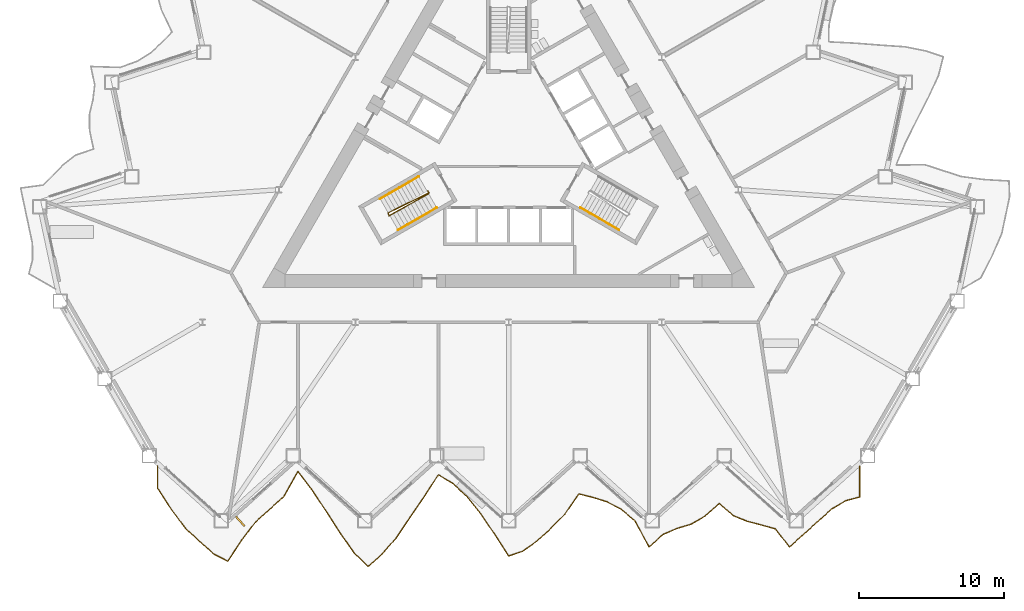
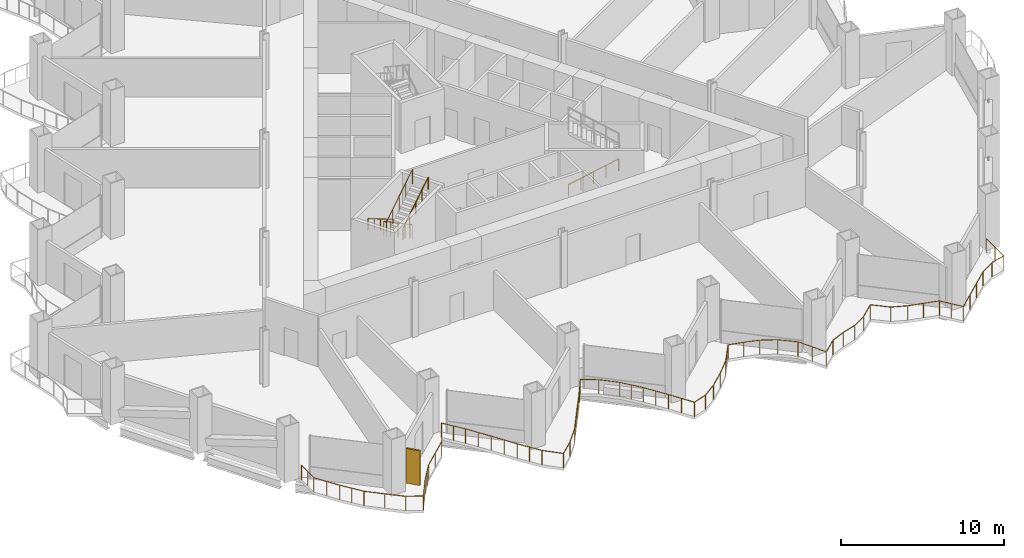
# One storey, part 17 of 21: 5 railings, 1 shading device.
"""IFC4 building model written with IfcOpenShell, lengths in metres."""

from ifc_helpers import new_model, si_unit, direction, frame, origin, origin_2d, place, context, subcontext, project, spatial, rectangle, circle, extrude, material, layer, layer_set, type_object, element, save


model = new_model("IFC4")

# Units and contexts
model_context = context("Model", 3, precision=1e-05, world=origin(), true_north=direction((0.0, 1.0)))
body_context = subcontext(model_context, "Body", "Model", "MODEL_VIEW")
ifc_project = project(units=[si_unit("LENGTHUNIT", "METRE"), si_unit("AREAUNIT", "SQUARE_METRE"), si_unit("VOLUMEUNIT", "CUBIC_METRE"), si_unit("PLANEANGLEUNIT", "RADIAN"), si_unit("MASSUNIT", "GRAM", prefix="KILO")], contexts=[model_context])

# Site, building, storey
site_placement = place(None, origin())
site = spatial("IfcSite", under=ifc_project, at=site_placement, CompositionType="ELEMENT")
building_placement = place(site_placement, origin())
building = spatial("IfcBuilding", under=site, at=building_placement, Name="Cormorant Prow Tower", CompositionType="ELEMENT")
storey_placement = place(building_placement, frame((0.0, 0.0, 46.800048828125)))
storey = spatial("IfcBuildingStorey", under=building, at=storey_placement, Name="L09", CompositionType="ELEMENT", Elevation=46.800048828125)

# Railings
ifc_material_1 = material(Name="Aluminium 6063-T6", Category="aluminium")
railing_type_1 = type_object("IfcRailingType", Name="Balcony guard 1100", PredefinedType="GUARDRAIL", material=ifc_material_1)
railing_1_placement = place(storey_placement, frame((-24.26318359375, -22.167236328125, 0.0)))
element("IfcRailing", 1, at=railing_1_placement, inside=storey, type_object=railing_type_1, Name="Balcony guard S", PredefinedType="GUARDRAIL", context=body_context, shape_type="SweptSolid", body=[
    extrude(circle(Radius=0.02392578125, at=origin_2d()), frame((0.0, 0.0, 1.076171875), z_axis=(0.0, -1.0, 0.0), x_axis=(1.0, 0.0, 0.0)), (0.0, 0.0, 1.0), 1.52001953125),
    extrude(circle(Radius=0.02392578125, at=origin_2d()), frame((0.0, -1.52001953125, 1.076171875), z_axis=(0.546456473438, -0.837487505959, 0.0), x_axis=(0.837487505959, 0.546456473438, 0.0)), (0.0, 0.0, 1.0), 1.77587890625),
    extrude(circle(Radius=0.02392578125, at=origin_2d()), frame((0.970458984375, -3.00732421875, 1.076171875), z_axis=(0.595102231489, -0.803650007203, 0.0), x_axis=(0.803650007203, 0.595102231489, 0.0)), (0.0, 0.0, 1.0), 1.630859375),
    extrude(circle(Radius=0.02392578125, at=origin_2d()), frame((1.94091796875, -4.31787109375, 1.076171875), z_axis=(0.743154686918, -0.669119653957, 0.0), x_axis=(0.669119653957, 0.743154686918, 0.0)), (0.0, 0.0, 1.0), 1.305908203125),
    extrude(circle(Radius=0.02392578125, at=origin_2d()), frame((2.911376953125, -5.191650390625, 1.076171875), z_axis=(0.743145427753, -0.669129937464, 0.0), x_axis=(0.669129937464, 0.743145427753, 0.0)), (0.0, 0.0, 1.0), 1.30615234375),
    extrude(circle(Radius=0.02392578125, at=origin_2d()), frame((3.882080078125, -6.065673828125, 1.076171875), z_axis=(0.886668355379, -0.462405912126, 0.0), x_axis=(0.462405912126, 0.886668355379, 0.0)), (0.0, 0.0, 1.0), 1.094482421875),
    extrude(circle(Radius=0.02392578125, at=origin_2d()), frame((4.8525390625, -6.57177734375, 1.076171875), z_axis=(0.549426091774, 0.835542320698, 0.0), x_axis=(-0.835542320698, 0.549426091774, 0.0)), (0.0, 0.0, 1.0), 1.766357421875),
    extrude(circle(Radius=0.02392578125, at=origin_2d()), frame((5.822998046875, -5.095947265625, 1.076171875), z_axis=(0.611999325903, 0.790858283825, 0.0), x_axis=(-0.790858283825, 0.611999325903, 0.0)), (0.0, 0.0, 1.0), 1.586181640625),
    extrude(circle(Radius=0.02392578125, at=origin_2d()), frame((6.793701171875, -3.841552734375, 1.076171875), z_axis=(0.743154686918, 0.669119653957, 0.0), x_axis=(-0.669119653957, 0.743154686918, 0.0)), (0.0, 0.0, 1.0), 1.305908203125),
    extrude(circle(Radius=0.02392578125, at=origin_2d()), frame((7.76416015625, -2.9677734375, 1.076171875), z_axis=(0.743154686918, 0.669119653957, 0.0), x_axis=(-0.669119653957, 0.743154686918, 0.0)), (0.0, 0.0, 1.0), 1.305908203125),
    extrude(circle(Radius=0.02392578125, at=origin_2d()), frame((8.734619140625, -2.093994140625, 1.076171875), z_axis=(0.491987922323, 0.870602024055, 0.0), x_axis=(-0.870602024055, 0.491987922323, 0.0)), (0.0, 0.0, 1.0), 1.972412109375),
    extrude(circle(Radius=0.02392578125, at=origin_2d()), frame((9.705078125, -0.376708984375, 1.076171875), z_axis=(0.607552194896, -0.794279755802, 0.0), x_axis=(0.794279755802, 0.607552194896, 0.0)), (0.0, 0.0, 1.0), 1.59765625),
    extrude(circle(Radius=0.02392578125, at=origin_2d()), frame((10.67578125, -1.645751953125, 1.076171875), z_axis=(0.553189853968, -0.833055211536, 0.0), x_axis=(0.833055211536, 0.553189853968, 0.0)), (0.0, 0.0, 1.0), 1.75439453125),
    extrude(circle(Radius=0.02392578125, at=origin_2d()), frame((11.646240234375, -3.107177734375, 1.076171875), z_axis=(0.54251539908, -0.84004585694, 0.0), x_axis=(0.84004585694, 0.54251539908, 0.0)), (0.0, 0.0, 1.0), 1.788818359375),
    extrude(circle(Radius=0.02392578125, at=origin_2d()), frame((12.61669921875, -4.60986328125, 1.076171875), z_axis=(0.574683975646, -0.818375420046, 0.0), x_axis=(0.818375420046, 0.574683975646, 0.0)), (0.0, 0.0, 1.0), 1.689208984375),
    extrude(circle(Radius=0.02392578125, at=origin_2d()), frame((13.58740234375, -5.9921875, 1.076171875), z_axis=(0.715606343426, -0.698503801885, 0.0), x_axis=(0.698503801885, 0.715606343426, 0.0)), (0.0, 0.0, 1.0), 1.356201171875),
    extrude(circle(Radius=0.02392578125, at=origin_2d()), frame((14.557861328125, -6.939453125, 1.076171875), z_axis=(0.743154686918, 0.669119653957, 0.0), x_axis=(-0.669119653957, 0.743154686918, 0.0)), (0.0, 0.0, 1.0), 1.305908203125),
    extrude(circle(Radius=0.02392578125, at=origin_2d()), frame((15.5283203125, -6.065673828125, 1.076171875), z_axis=(0.657262862537, 0.753661415709, 0.0), x_axis=(-0.753661415709, 0.657262862537, 0.0)), (0.0, 0.0, 1.0), 1.4765625),
    extrude(circle(Radius=0.02392578125, at=origin_2d()), frame((16.498779296875, -4.952880859375, 1.076171875), z_axis=(0.557674475264, 0.83005974462, 0.0), x_axis=(-0.83005974462, 0.557674475264, 0.0)), (0.0, 0.0, 1.0), 1.74072265625),
    extrude(circle(Radius=0.02392578125, at=origin_2d()), frame((17.469482421875, -3.508056640625, 1.076171875), z_axis=(0.565851984575, 0.824506841423, 0.0), x_axis=(-0.824506841423, 0.565851984575, 0.0)), (0.0, 0.0, 1.0), 1.715087890625),
    extrude(circle(Radius=0.02392578125, at=origin_2d()), frame((18.43994140625, -2.093994140625, 1.076171875), z_axis=(0.543636828573, 0.839320557724, 0.0), x_axis=(-0.839320557724, 0.543636828573, 0.0)), (0.0, 0.0, 1.0), 1.78515625),
    extrude(circle(Radius=0.02392578125, at=origin_2d()), frame((19.410400390625, -0.595703125, 1.076171875), z_axis=(0.85850102145, -0.512811852602, 0.0), x_axis=(0.512811852602, 0.85850102145, 0.0)), (0.0, 0.0, 1.0), 1.130615234375),
    extrude(circle(Radius=0.02392578125, at=origin_2d()), frame((20.381103515625, -1.175537109375, 1.076171875), z_axis=(0.735654307168, -0.677357173392, 0.0), x_axis=(0.677357173392, 0.735654307168, 0.0)), (0.0, 0.0, 1.0), 1.319091796875),
    extrude(circle(Radius=0.02392578125, at=origin_2d()), frame((21.3515625, -2.069091796875, 1.076171875), z_axis=(0.628292956506, -0.777976838219, 0.0), x_axis=(0.777976838219, 0.628292956506, 0.0)), (0.0, 0.0, 1.0), 1.544677734375),
    extrude(circle(Radius=0.02392578125, at=origin_2d()), frame((22.322021484375, -3.270751953125, 1.076171875), z_axis=(0.562708676274, -0.826655276186, 0.0), x_axis=(0.826655276186, 0.562708676274, 0.0)), (0.0, 0.0, 1.0), 1.72509765625),
    extrude(circle(Radius=0.02392578125, at=origin_2d()), frame((23.292724609375, -4.69677734375, 1.076171875), z_axis=(0.541149728785, -0.840926257787, 0.0), x_axis=(0.840926257787, 0.541149728785, 0.0)), (0.0, 0.0, 1.0), 1.793212890625),
    extrude(circle(Radius=0.02392578125, at=origin_2d()), frame((24.26318359375, -6.204833984375, 1.076171875), z_axis=(0.949397389061, 0.314077375249, 0.0), x_axis=(-0.314077375249, 0.949397389061, 0.0)), (0.0, 0.0, 1.0), 1.022216796875),
    extrude(circle(Radius=0.02392578125, at=origin_2d()), frame((25.233642578125, -5.8837890625, 1.076171875), z_axis=(0.814217473034, 0.580559993977, 0.0), x_axis=(-0.580559993977, 0.814217473034, 0.0)), (0.0, 0.0, 1.0), 1.192138671875),
    extrude(circle(Radius=0.02392578125, at=origin_2d()), frame((26.204345703125, -5.191650390625, 1.076171875), z_axis=(0.743154686918, 0.669119653957, 0.0), x_axis=(-0.669119653957, 0.743154686918, 0.0)), (0.0, 0.0, 1.0), 1.305908203125),
    extrude(circle(Radius=0.02392578125, at=origin_2d()), frame((27.1748046875, -4.31787109375, 1.076171875), z_axis=(0.697391496099, 0.716690380268, 0.0), x_axis=(-0.716690380268, 0.697391496099, 0.0)), (0.0, 0.0, 1.0), 1.3916015625),
    extrude(circle(Radius=0.02392578125, at=origin_2d()), frame((28.145263671875, -3.320556640625, 1.076171875), z_axis=(0.56854801371, 0.822650081205, 0.0), x_axis=(-0.822650081205, 0.56854801371, 0.0)), (0.0, 0.0, 1.0), 1.707275390625),
    extrude(circle(Radius=0.02392578125, at=origin_2d()), frame((29.115966796875, -1.916015625, 1.076171875), z_axis=(0.970529040878, -0.240984192037, 0.0), x_axis=(0.240984192037, 0.970529040878, 0.0)), (0.0, 0.0, 1.0), 1.0),
    extrude(circle(Radius=0.02392578125, at=origin_2d()), frame((30.08642578125, -2.156982421875, 1.076171875), z_axis=(0.95476588889, -0.297358533445, 0.0), x_axis=(0.297358533445, 0.95476588889, 0.0)), (0.0, 0.0, 1.0), 1.016357421875),
    extrude(circle(Radius=0.02392578125, at=origin_2d()), frame((31.056884765625, -2.459228515625, 1.076171875), z_axis=(0.885159562944, -0.465287597222, 0.0), x_axis=(0.465287597222, 0.885159562944, 0.0)), (0.0, 0.0, 1.0), 1.0966796875),
    extrude(circle(Radius=0.02392578125, at=origin_2d()), frame((32.027587890625, -2.969482421875, 1.076171875), z_axis=(0.767033703833, -0.641606808867, 0.0), x_axis=(0.641606808867, 0.767033703833, 0.0)), (0.0, 0.0, 1.0), 1.26513671875),
    extrude(circle(Radius=0.02392578125, at=origin_2d()), frame((32.998046875, -3.78125, 1.076171875), z_axis=(0.472914583263, -0.881108277647, 0.0), x_axis=(0.881108277647, 0.472914583263, 0.0)), (0.0, 0.0, 1.0), 2.052001953125),
    extrude(circle(Radius=0.02392578125, at=origin_2d()), frame((33.968505859375, -5.58935546875, 1.076171875), z_axis=(0.743154686918, 0.669119653957, 0.0), x_axis=(-0.669119653957, 0.743154686918, 0.0)), (0.0, 0.0, 1.0), 1.305908203125),
    extrude(circle(Radius=0.02392578125, at=origin_2d()), frame((34.93896484375, -4.715576171875, 1.076171875), z_axis=(0.918977576197, 0.394309795018, 0.0), x_axis=(-0.394309795018, 0.918977576197, 0.0)), (0.0, 0.0, 1.0), 1.056396484375),
    extrude(circle(Radius=0.02392578125, at=origin_2d()), frame((35.90966796875, -4.299072265625, 1.076171875), z_axis=(0.959242445452, 0.28258437827, 0.0), x_axis=(-0.28258437827, 0.959242445452, 0.0)), (0.0, 0.0, 1.0), 1.01171875),
    extrude(circle(Radius=0.02392578125, at=origin_2d()), frame((36.880126953125, -4.01318359375, 1.076171875), z_axis=(0.862524905766, 0.506014611383, 0.0), x_axis=(-0.506014611383, 0.862524905766, 0.0)), (0.0, 0.0, 1.0), 1.125244140625),
    extrude(circle(Radius=0.02392578125, at=origin_2d()), frame((37.8505859375, -3.44384765625, 1.076171875), z_axis=(0.743238374141, 0.669026695435, 0.0), x_axis=(-0.669026695435, 0.743238374141, 0.0)), (0.0, 0.0, 1.0), 1.30615234375),
    extrude(circle(Radius=0.02392578125, at=origin_2d()), frame((38.8212890625, -2.570068359375, 1.076171875), z_axis=(0.752025607299, -0.659133890774, 0.0), x_axis=(0.659133890774, 0.752025607299, 0.0)), (0.0, 0.0, 1.0), 1.29052734375),
    extrude(circle(Radius=0.02392578125, at=origin_2d()), frame((39.791748046875, -3.420654296875, 1.076171875), z_axis=(0.927184198697, -0.374605741662, 0.0), x_axis=(0.374605741662, 0.927184198697, 0.0)), (0.0, 0.0, 1.0), 1.046630859375),
    extrude(circle(Radius=0.02392578125, at=origin_2d()), frame((40.76220703125, -3.812744140625, 1.076171875), z_axis=(0.967970600787, -0.251063569663, 0.0), x_axis=(0.251063569663, 0.967970600787, 0.0)), (0.0, 0.0, 1.0), 1.002685546875),
    extrude(circle(Radius=0.02392578125, at=origin_2d()), frame((41.732666015625, -4.064453125, 1.076171875), z_axis=(0.962981625571, -0.269567039552, 0.0), x_axis=(0.269567039552, 0.962981625571, 0.0)), (0.0, 0.0, 1.0), 1.008056640625),
    extrude(circle(Radius=0.02392578125, at=origin_2d()), frame((42.703369140625, -4.336181640625, 1.076171875), z_axis=(0.61227570857, -0.790644330085, 0.0), x_axis=(0.790644330085, 0.61227570857, 0.0)), (0.0, 0.0, 1.0), 1.5849609375),
    extrude(circle(Radius=0.02392578125, at=origin_2d()), frame((43.673828125, -5.58935546875, 1.076171875), z_axis=(0.743154686918, 0.669119653957, 0.0), x_axis=(-0.669119653957, 0.743154686918, 0.0)), (0.0, 0.0, 1.0), 1.305908203125),
    extrude(circle(Radius=0.02392578125, at=origin_2d()), frame((44.644287109375, -4.715576171875, 1.076171875), z_axis=(0.743145427753, 0.669129937464, 0.0), x_axis=(-0.669129937464, 0.743145427753, 0.0)), (0.0, 0.0, 1.0), 1.30615234375),
    extrude(circle(Radius=0.02392578125, at=origin_2d()), frame((45.614990234375, -3.841552734375, 1.076171875), z_axis=(0.743154686918, 0.669119653957, 0.0), x_axis=(-0.669119653957, 0.743154686918, 0.0)), (0.0, 0.0, 1.0), 1.305908203125),
    extrude(circle(Radius=0.02392578125, at=origin_2d()), frame((46.58544921875, -2.9677734375, 1.076171875), z_axis=(0.85939467773, 0.511312808259, 0.0), x_axis=(-0.511312808259, 0.85939467773, 0.0)), (0.0, 0.0, 1.0), 1.129150390625),
    extrude(circle(Radius=0.02392578125, at=origin_2d()), frame((47.555908203125, -2.390380859375, 1.076171875), z_axis=(0.965931782, 0.258796817064, 0.0), x_axis=(-0.258796817064, 0.965931782, 0.0)), (0.0, 0.0, 1.0), 1.004638671875),
    extrude(circle(Radius=0.02392578125, at=origin_2d()), frame((48.5263671875, -2.13037109375, 1.076171875), z_axis=(0.0, 1.0, 0.0), x_axis=(-1.0, 0.0, 0.0)), (0.0, 0.0, 1.0), 2.13037109375),
    extrude(circle(Radius=0.02099609375, at=origin_2d()), origin(), (0.0, 0.0, 1.0), 1.052001953125),
    extrude(circle(Radius=0.02099609375, at=origin_2d()), frame((0.0, -0.760009765625, 0.0)), (0.0, 0.0, 1.0), 1.052001953125),
    extrude(circle(Radius=0.02099609375, at=origin_2d()), frame((0.0, -1.52001953125, 0.0)), (0.0, 0.0, 1.0), 1.052001953125),
    extrude(circle(Radius=0.02099609375, at=origin_2d()), frame((0.4853515625, -2.263671875, 0.0)), (0.0, 0.0, 1.0), 1.052001953125),
    extrude(circle(Radius=0.02099609375, at=origin_2d()), frame((0.970458984375, -3.00732421875, 0.0)), (0.0, 0.0, 1.0), 1.052001953125),
    extrude(circle(Radius=0.02099609375, at=origin_2d()), frame((1.45556640625, -3.66259765625, 0.0)), (0.0, 0.0, 1.0), 1.052001953125),
    extrude(circle(Radius=0.02099609375, at=origin_2d()), frame((1.94091796875, -4.31787109375, 0.0)), (0.0, 0.0, 1.0), 1.052001953125),
    extrude(circle(Radius=0.02099609375, at=origin_2d()), frame((2.911376953125, -5.191650390625, 0.0)), (0.0, 0.0, 1.0), 1.052001953125),
    extrude(circle(Radius=0.02099609375, at=origin_2d()), frame((3.882080078125, -6.065673828125, 0.0)), (0.0, 0.0, 1.0), 1.052001953125),
    extrude(circle(Radius=0.02099609375, at=origin_2d()), frame((4.8525390625, -6.57177734375, 0.0)), (0.0, 0.0, 1.0), 1.052001953125),
    extrude(circle(Radius=0.02099609375, at=origin_2d()), frame((5.337890625, -5.833984375, 0.0)), (0.0, 0.0, 1.0), 1.052001953125),
    extrude(circle(Radius=0.02099609375, at=origin_2d()), frame((5.822998046875, -5.095947265625, 0.0)), (0.0, 0.0, 1.0), 1.052001953125),
    extrude(circle(Radius=0.02099609375, at=origin_2d()), frame((6.308349609375, -4.46875, 0.0)), (0.0, 0.0, 1.0), 1.052001953125),
    extrude(circle(Radius=0.02099609375, at=origin_2d()), frame((6.793701171875, -3.841552734375, 0.0)), (0.0, 0.0, 1.0), 1.052001953125),
    extrude(circle(Radius=0.02099609375, at=origin_2d()), frame((7.76416015625, -2.9677734375, 0.0)), (0.0, 0.0, 1.0), 1.052001953125),
    extrude(circle(Radius=0.02099609375, at=origin_2d()), frame((8.734619140625, -2.093994140625, 0.0)), (0.0, 0.0, 1.0), 1.052001953125),
    extrude(circle(Radius=0.02099609375, at=origin_2d()), frame((9.2197265625, -1.2353515625, 0.0)), (0.0, 0.0, 1.0), 1.052001953125),
    extrude(circle(Radius=0.02099609375, at=origin_2d()), frame((9.705078125, -0.376708984375, 0.0)), (0.0, 0.0, 1.0), 1.052001953125),
    extrude(circle(Radius=0.02099609375, at=origin_2d()), frame((10.1904296875, -1.01123046875, 0.0)), (0.0, 0.0, 1.0), 1.052001953125),
    extrude(circle(Radius=0.02099609375, at=origin_2d()), frame((10.67578125, -1.645751953125, 0.0)), (0.0, 0.0, 1.0), 1.052001953125),
    extrude(circle(Radius=0.02099609375, at=origin_2d()), frame((11.1611328125, -2.37646484375, 0.0)), (0.0, 0.0, 1.0), 1.052001953125),
    extrude(circle(Radius=0.02099609375, at=origin_2d()), frame((11.646240234375, -3.107177734375, 0.0)), (0.0, 0.0, 1.0), 1.052001953125),
    extrude(circle(Radius=0.02099609375, at=origin_2d()), frame((12.13134765625, -3.8583984375, 0.0)), (0.0, 0.0, 1.0), 1.052001953125),
    extrude(circle(Radius=0.02099609375, at=origin_2d()), frame((12.61669921875, -4.60986328125, 0.0)), (0.0, 0.0, 1.0), 1.052001953125),
    extrude(circle(Radius=0.02099609375, at=origin_2d()), frame((13.10205078125, -5.301025390625, 0.0)), (0.0, 0.0, 1.0), 1.052001953125),
    extrude(circle(Radius=0.02099609375, at=origin_2d()), frame((13.58740234375, -5.9921875, 0.0)), (0.0, 0.0, 1.0), 1.052001953125),
    extrude(circle(Radius=0.02099609375, at=origin_2d()), frame((14.557861328125, -6.939453125, 0.0)), (0.0, 0.0, 1.0), 1.052001953125),
    extrude(circle(Radius=0.02099609375, at=origin_2d()), frame((15.5283203125, -6.065673828125, 0.0)), (0.0, 0.0, 1.0), 1.052001953125),
    extrude(circle(Radius=0.02099609375, at=origin_2d()), frame((16.498779296875, -4.952880859375, 0.0)), (0.0, 0.0, 1.0), 1.052001953125),
    extrude(circle(Radius=0.02099609375, at=origin_2d()), frame((16.984130859375, -4.23046875, 0.0)), (0.0, 0.0, 1.0), 1.052001953125),
    extrude(circle(Radius=0.02099609375, at=origin_2d()), frame((17.469482421875, -3.508056640625, 0.0)), (0.0, 0.0, 1.0), 1.052001953125),
    extrude(circle(Radius=0.02099609375, at=origin_2d()), frame((17.95458984375, -2.801025390625, 0.0)), (0.0, 0.0, 1.0), 1.052001953125),
    extrude(circle(Radius=0.02099609375, at=origin_2d()), frame((18.43994140625, -2.093994140625, 0.0)), (0.0, 0.0, 1.0), 1.052001953125),
    extrude(circle(Radius=0.02099609375, at=origin_2d()), frame((18.92529296875, -1.3447265625, 0.0)), (0.0, 0.0, 1.0), 1.052001953125),
    extrude(circle(Radius=0.02099609375, at=origin_2d()), frame((19.410400390625, -0.595703125, 0.0)), (0.0, 0.0, 1.0), 1.052001953125),
    extrude(circle(Radius=0.02099609375, at=origin_2d()), frame((20.381103515625, -1.175537109375, 0.0)), (0.0, 0.0, 1.0), 1.052001953125),
    extrude(circle(Radius=0.02099609375, at=origin_2d()), frame((21.3515625, -2.069091796875, 0.0)), (0.0, 0.0, 1.0), 1.052001953125),
    extrude(circle(Radius=0.02099609375, at=origin_2d()), frame((21.8369140625, -2.669921875, 0.0)), (0.0, 0.0, 1.0), 1.052001953125),
    extrude(circle(Radius=0.02099609375, at=origin_2d()), frame((22.322021484375, -3.270751953125, 0.0)), (0.0, 0.0, 1.0), 1.052001953125),
    extrude(circle(Radius=0.02099609375, at=origin_2d()), frame((22.807373046875, -3.98388671875, 0.0)), (0.0, 0.0, 1.0), 1.052001953125),
    extrude(circle(Radius=0.02099609375, at=origin_2d()), frame((23.292724609375, -4.69677734375, 0.0)), (0.0, 0.0, 1.0), 1.052001953125),
    extrude(circle(Radius=0.02099609375, at=origin_2d()), frame((23.77783203125, -5.45068359375, 0.0)), (0.0, 0.0, 1.0), 1.052001953125),
    extrude(circle(Radius=0.02099609375, at=origin_2d()), frame((24.26318359375, -6.204833984375, 0.0)), (0.0, 0.0, 1.0), 1.052001953125),
    extrude(circle(Radius=0.02099609375, at=origin_2d()), frame((25.233642578125, -5.8837890625, 0.0)), (0.0, 0.0, 1.0), 1.052001953125),
    extrude(circle(Radius=0.02099609375, at=origin_2d()), frame((26.204345703125, -5.191650390625, 0.0)), (0.0, 0.0, 1.0), 1.052001953125),
    extrude(circle(Radius=0.02099609375, at=origin_2d()), frame((27.1748046875, -4.31787109375, 0.0)), (0.0, 0.0, 1.0), 1.052001953125),
    extrude(circle(Radius=0.02099609375, at=origin_2d()), frame((28.145263671875, -3.320556640625, 0.0)), (0.0, 0.0, 1.0), 1.052001953125),
    extrude(circle(Radius=0.02099609375, at=origin_2d()), frame((28.630615234375, -2.6181640625, 0.0)), (0.0, 0.0, 1.0), 1.052001953125),
    extrude(circle(Radius=0.02099609375, at=origin_2d()), frame((29.115966796875, -1.916015625, 0.0)), (0.0, 0.0, 1.0), 1.052001953125),
    extrude(circle(Radius=0.02099609375, at=origin_2d()), frame((30.08642578125, -2.156982421875, 0.0)), (0.0, 0.0, 1.0), 1.052001953125),
    extrude(circle(Radius=0.02099609375, at=origin_2d()), frame((31.056884765625, -2.459228515625, 0.0)), (0.0, 0.0, 1.0), 1.052001953125),
    extrude(circle(Radius=0.02099609375, at=origin_2d()), frame((32.027587890625, -2.969482421875, 0.0)), (0.0, 0.0, 1.0), 1.052001953125),
    extrude(circle(Radius=0.02099609375, at=origin_2d()), frame((32.998046875, -3.78125, 0.0)), (0.0, 0.0, 1.0), 1.052001953125),
    extrude(circle(Radius=0.02099609375, at=origin_2d()), frame((33.4833984375, -4.685302734375, 0.0)), (0.0, 0.0, 1.0), 1.052001953125),
    extrude(circle(Radius=0.02099609375, at=origin_2d()), frame((33.968505859375, -5.58935546875, 0.0)), (0.0, 0.0, 1.0), 1.052001953125),
    extrude(circle(Radius=0.02099609375, at=origin_2d()), frame((34.93896484375, -4.715576171875, 0.0)), (0.0, 0.0, 1.0), 1.052001953125),
    extrude(circle(Radius=0.02099609375, at=origin_2d()), frame((35.90966796875, -4.299072265625, 0.0)), (0.0, 0.0, 1.0), 1.052001953125),
    extrude(circle(Radius=0.02099609375, at=origin_2d()), frame((36.880126953125, -4.01318359375, 0.0)), (0.0, 0.0, 1.0), 1.052001953125),
    extrude(circle(Radius=0.02099609375, at=origin_2d()), frame((37.8505859375, -3.44384765625, 0.0)), (0.0, 0.0, 1.0), 1.052001953125),
    extrude(circle(Radius=0.02099609375, at=origin_2d()), frame((38.8212890625, -2.570068359375, 0.0)), (0.0, 0.0, 1.0), 1.052001953125),
    extrude(circle(Radius=0.02099609375, at=origin_2d()), frame((39.791748046875, -3.420654296875, 0.0)), (0.0, 0.0, 1.0), 1.052001953125),
    extrude(circle(Radius=0.02099609375, at=origin_2d()), frame((40.76220703125, -3.812744140625, 0.0)), (0.0, 0.0, 1.0), 1.052001953125),
    extrude(circle(Radius=0.02099609375, at=origin_2d()), frame((41.732666015625, -4.064453125, 0.0)), (0.0, 0.0, 1.0), 1.052001953125),
    extrude(circle(Radius=0.02099609375, at=origin_2d()), frame((42.703369140625, -4.336181640625, 0.0)), (0.0, 0.0, 1.0), 1.052001953125),
    extrude(circle(Radius=0.02099609375, at=origin_2d()), frame((43.1884765625, -4.962890625, 0.0)), (0.0, 0.0, 1.0), 1.052001953125),
    extrude(circle(Radius=0.02099609375, at=origin_2d()), frame((43.673828125, -5.58935546875, 0.0)), (0.0, 0.0, 1.0), 1.052001953125),
    extrude(circle(Radius=0.02099609375, at=origin_2d()), frame((44.644287109375, -4.715576171875, 0.0)), (0.0, 0.0, 1.0), 1.052001953125),
    extrude(circle(Radius=0.02099609375, at=origin_2d()), frame((45.614990234375, -3.841552734375, 0.0)), (0.0, 0.0, 1.0), 1.052001953125),
    extrude(circle(Radius=0.02099609375, at=origin_2d()), frame((46.58544921875, -2.9677734375, 0.0)), (0.0, 0.0, 1.0), 1.052001953125),
    extrude(circle(Radius=0.02099609375, at=origin_2d()), frame((47.555908203125, -2.390380859375, 0.0)), (0.0, 0.0, 1.0), 1.052001953125),
    extrude(circle(Radius=0.02099609375, at=origin_2d()), frame((48.5263671875, -2.13037109375, 0.0)), (0.0, 0.0, 1.0), 1.052001953125),
    extrude(circle(Radius=0.02099609375, at=origin_2d()), frame((48.5263671875, -1.065185546875, 0.0)), (0.0, 0.0, 1.0), 1.052001953125),
    extrude(circle(Radius=0.02099609375, at=origin_2d()), frame((48.5263671875, 0.0, 0.0)), (0.0, 0.0, 1.0), 1.052001953125),
])
ifc_material_2 = material(Name="Stainless steel", Category="steel")
railing_type_2 = type_object("IfcRailingType", Name="Stair guard 1100", PredefinedType="GUARDRAIL", material=ifc_material_2)
railing_2_placement = place(storey_placement, frame((-5.585205078125, -3.137939453125, 0.0)))
element("IfcRailing", 2, at=railing_2_placement, inside=storey, type_object=railing_type_2, Name="L09 ST1 stair guard 1", PredefinedType="GUARDRAIL", context=body_context, shape_type="SweptSolid", body=[
    extrude(circle(Radius=0.02392578125, at=origin_2d()), frame((0.0, 0.0, 1.076171875), z_axis=(0.501036270542, -0.865426285481, 0.0), x_axis=(0.865426285481, 0.501036270542, 0.0)), (0.0, 0.0, 1.0), 0.150146484375),
    extrude(circle(Radius=0.02392578125, at=origin_2d()), frame((0.0751953125, -0.1298828125, 1.076171875), z_axis=(-0.744670798681, -0.368745611333, 0.556320119817), x_axis=(0.443754251299, -0.896148516963, 0.0)), (0.0, 0.0, 1.0), 3.774658203125),
    extrude(circle(Radius=0.02392578125, at=origin_2d()), frame((-2.735595703125, -1.521728515625, 3.17578125), z_axis=(0.274721127897, -0.961523947641, 0.0), x_axis=(0.961523947641, 0.274721127897, 0.0)), (0.0, 0.0, 1.0), 0.2060546875),
    extrude(circle(Radius=0.02392578125, at=origin_2d()), frame((-2.678955078125, -1.719970703125, 3.17578125), z_axis=(0.725738344322, 0.403670096391, 0.557094524171), x_axis=(-0.486086505765, 0.873910698477, 0.0)), (0.0, 0.0, 1.0), 3.769775390625),
    extrude(circle(Radius=0.02099609375, at=origin_2d()), origin(), (0.0, 0.0, 1.0), 1.052001953125),
    extrude(circle(Radius=0.02099609375, at=origin_2d()), frame((0.0751953125, -0.1298828125, 0.0)), (0.0, 0.0, 1.0), 1.052001953125),
    extrude(circle(Radius=0.02099609375, at=origin_2d()), frame((-0.62744140625, -0.477783203125, 0.52490234375)), (0.0, 0.0, 1.0), 1.052001953125),
    extrude(circle(Radius=0.02099609375, at=origin_2d()), frame((-1.330078125, -0.82568359375, 1.0498046875)), (0.0, 0.0, 1.0), 1.052001953125),
    extrude(circle(Radius=0.02099609375, at=origin_2d()), frame((-2.032958984375, -1.173828125, 1.574951171875)), (0.0, 0.0, 1.0), 1.052001953125),
    extrude(circle(Radius=0.02099609375, at=origin_2d()), frame((-2.735595703125, -1.521728515625, 2.099853515625)), (0.0, 0.0, 1.0), 1.052001953125),
    extrude(circle(Radius=0.02099609375, at=origin_2d()), frame((-2.678955078125, -1.719970703125, 2.099853515625)), (0.0, 0.0, 1.0), 1.052001953125),
    extrude(circle(Radius=0.02099609375, at=origin_2d()), frame((-1.9951171875, -1.339599609375, 2.625)), (0.0, 0.0, 1.0), 1.052001953125),
    extrude(circle(Radius=0.02099609375, at=origin_2d()), frame((-1.31103515625, -0.958984375, 3.14990234375)), (0.0, 0.0, 1.0), 1.052001953125),
    extrude(circle(Radius=0.02099609375, at=origin_2d()), frame((-0.626953125, -0.57861328125, 3.6748046875)), (0.0, 0.0, 1.0), 1.052001953125),
    extrude(circle(Radius=0.02099609375, at=origin_2d()), frame((0.056884765625, -0.1982421875, 4.199951171875)), (0.0, 0.0, 1.0), 1.052001953125),
])
ifc_material_3 = material(Name="Stainless steel", Category="steel")
railing_type_3 = type_object("IfcRailingType", Name="Stair handrail 900", PredefinedType="HANDRAIL", material=ifc_material_3)
railing_3_placement = place(storey_placement, frame((-6.212890625, -2.150634765625, 0.175048828125)))
element("IfcRailing", 3, at=railing_3_placement, inside=storey, type_object=railing_type_3, Name="L09 ST1 stair handrail 1", PredefinedType="HANDRAIL", context=body_context, shape_type="SweptSolid", body=[
    extrude(circle(Radius=0.02392578125, at=origin_2d()), frame((0.0, 0.0, 0.8759765625), z_axis=(-0.734421155904, -0.424009578203, 0.529944755001), x_axis=(0.499992328818, -0.866029832698, 0.0)), (0.0, 0.0, 1.0), 3.632080078125),
    extrude(circle(Radius=0.02099609375, at=origin_2d()), origin(), (0.0, 0.0, 1.0), 0.851806640625),
    extrude(circle(Radius=0.02099609375, at=origin_2d()), frame((-0.6669921875, -0.385009765625, 0.481201171875)), (0.0, 0.0, 1.0), 0.851806640625),
    extrude(circle(Radius=0.02099609375, at=origin_2d()), frame((-1.333740234375, -0.77001953125, 0.96240234375)), (0.0, 0.0, 1.0), 0.851806640625),
    extrude(circle(Radius=0.02099609375, at=origin_2d()), frame((-2.00048828125, -1.155029296875, 1.443603515625)), (0.0, 0.0, 1.0), 0.851806640625),
    extrude(circle(Radius=0.02099609375, at=origin_2d()), frame((-2.66748046875, -1.5400390625, 1.9248046875)), (0.0, 0.0, 1.0), 0.851806640625),
])
railing_4_placement = place(storey_placement, frame((-7.63623046875, -5.84521484375, 2.27490234375)))
element("IfcRailing", 4, at=railing_4_placement, inside=storey, type_object=railing_type_3, Name="L09 ST1 stair handrail 2", PredefinedType="HANDRAIL", context=body_context, shape_type="SweptSolid", body=[
    extrude(circle(Radius=0.02392578125, at=origin_2d()), frame((0.0, 0.0, 0.8759765625), z_axis=(0.734364028329, 0.424015404183, 0.530019255228), x_axis=(-0.500026652407, 0.866010015463, 0.0)), (0.0, 0.0, 1.0), 3.632080078125),
    extrude(circle(Radius=0.02099609375, at=origin_2d()), origin(), (0.0, 0.0, 1.0), 0.851806640625),
    extrude(circle(Radius=0.02099609375, at=origin_2d()), frame((0.666748046875, 0.385009765625, 0.481201171875)), (0.0, 0.0, 1.0), 0.851806640625),
    extrude(circle(Radius=0.02099609375, at=origin_2d()), frame((1.33349609375, 0.77001953125, 0.96240234375)), (0.0, 0.0, 1.0), 0.851806640625),
    extrude(circle(Radius=0.02099609375, at=origin_2d()), frame((2.00048828125, 1.155029296875, 1.44384765625)), (0.0, 0.0, 1.0), 0.851806640625),
    extrude(circle(Radius=0.02099609375, at=origin_2d()), frame((2.667236328125, 1.5400390625, 1.925048828125)), (0.0, 0.0, 1.0), 0.851806640625),
])
railing_5_placement = place(storey_placement, frame((4.968994140625, -4.30517578125, 0.175048828125)))
element("IfcRailing", 5, at=railing_5_placement, inside=storey, type_object=railing_type_3, Name="L09 ST2 stair handrail 1", PredefinedType="HANDRAIL", context=body_context, shape_type="SweptSolid", body=[
    extrude(circle(Radius=0.02392578125, at=origin_2d()), frame((0.0, 0.0, 0.8759765625), z_axis=(0.734390191396, -0.42403051051, 0.529970917068), x_axis=(0.500026652407, 0.866010015463, 0.0)), (0.0, 0.0, 1.0), 3.6318359375),
    extrude(circle(Radius=0.02099609375, at=origin_2d()), origin(), (0.0, 0.0, 1.0), 0.851806640625),
    extrude(circle(Radius=0.02099609375, at=origin_2d()), frame((0.666748046875, -0.385009765625, 0.481201171875)), (0.0, 0.0, 1.0), 0.851806640625),
    extrude(circle(Radius=0.02099609375, at=origin_2d()), frame((1.33349609375, -0.77001953125, 0.96240234375)), (0.0, 0.0, 1.0), 0.851806640625),
    extrude(circle(Radius=0.02099609375, at=origin_2d()), frame((2.00048828125, -1.155029296875, 1.443603515625)), (0.0, 0.0, 1.0), 0.851806640625),
    extrude(circle(Radius=0.02099609375, at=origin_2d()), frame((2.667236328125, -1.5400390625, 1.9248046875)), (0.0, 0.0, 1.0), 0.851806640625),
])

# Shading device
ifc_material_4 = material(Name="Terracotta", Category="masonry")
ifc_layer = layer(ifc_material_4, 0.1201171875)
ifc_layer_set = layer_set([ifc_layer], Name="Terracotta")
shading_device_type = type_object("IfcShadingDeviceType", Name="Terracotta baguette fin 120x900x2600", PredefinedType="USERDEFINED", material=ifc_layer_set)
shading_device_placement = place(storey_placement, frame((-18.54248046875, -25.98046875, 0.0), z_axis=(0.0, 0.0, 1.0), x_axis=(0.74314478667, 0.669130649459, 0.0)))
element("IfcShadingDevice", 6, at=shading_device_placement, inside=storey, type_object=shading_device_type, Name="Baguette fin S01", ObjectType="BAGUETTE", PredefinedType="USERDEFINED", context=body_context, shape_type="SweptSolid", body=[
    extrude(rectangle(XDim=0.1201171875, YDim=0.89990234375, at=origin_2d()), origin(), (0.0, 0.0, 1.0), 2.60009765625),
])

save(model, "model.ifc")
